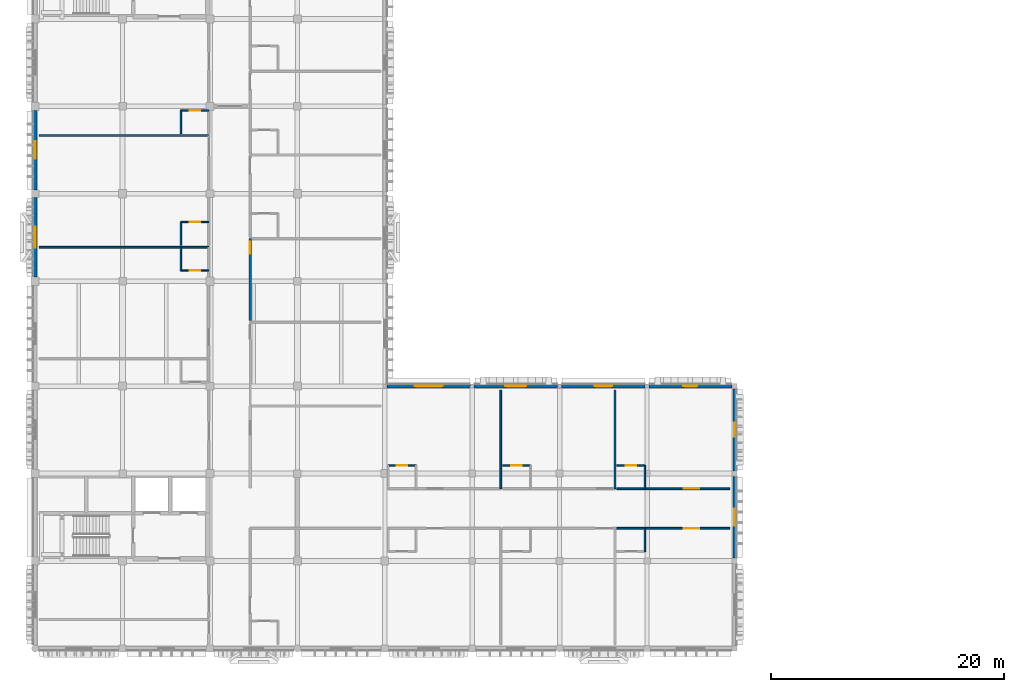
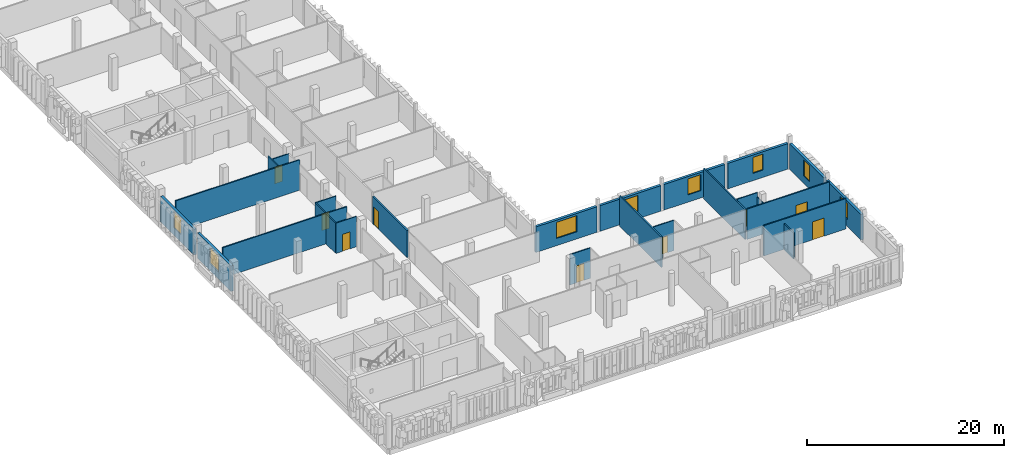
# One storey, part 17 of 48: 26 walls, 9 doors, 8 windows, 17 openings.
"""IFC4 building model written with IfcOpenShell, lengths in metres."""

from ifc_helpers import new_model, si_unit, direction, frame, frame_2d, origin, place, context, subcontext, project, spatial, rectangle, extrude, material, layer, layer_set, type_object, element, fill, save


model = new_model("IFC4")

# Units and contexts
model_context = context("Model", 3, precision=1e-05, world=origin(), true_north=direction((0.0, 1.0)))
body_context = subcontext(model_context, "Body", "Model", "MODEL_VIEW")
ifc_project = project(units=[si_unit("LENGTHUNIT", "METRE"), si_unit("AREAUNIT", "SQUARE_METRE"), si_unit("VOLUMEUNIT", "CUBIC_METRE"), si_unit("PLANEANGLEUNIT", "RADIAN"), si_unit("MASSUNIT", "GRAM", prefix="KILO")], contexts=[model_context])

# Site, building, storey
site_placement = place(None, origin())
site = spatial("IfcSite", under=ifc_project, at=site_placement, CompositionType="ELEMENT")
building_placement = place(site_placement, origin())
building = spatial("IfcBuilding", under=site, at=building_placement, Name="Dalvernix Boulevard General Hospital", CompositionType="ELEMENT")
storey_placement = place(building_placement, frame((0.0, 0.0, 17.85009765625)))
storey = spatial("IfcBuildingStorey", under=building, at=storey_placement, Name="L04", CompositionType="ELEMENT", Elevation=17.85009765625)

# Wall, opening, window
ifc_material_1 = material(Name="Pressed Catalan clay brick and ceramic spandrel wall C35/45", Category="masonry")
ifc_layer_1 = layer(ifc_material_1, 0.300048828125)
ifc_layer_set_1 = layer_set([ifc_layer_1], Name="Pressed Catalan clay brick and ceramic spandrel wall C35/45 (WAL-EW-02)")
wall_type_1 = type_object("IfcWallType", Name="WAL-EW-02", PredefinedType="STANDARD", material=ifc_layer_set_1)
wall_1_placement = place(storey_placement, frame((0.0, 31.860107421875, 0.0), z_axis=(0.0, 0.0, 1.0), x_axis=(0.0, 1.0, 0.0)))
wall_1 = element("IfcWall", 1, at=wall_1_placement, inside=storey, type_object=wall_type_1, Name="L04 Catalan brick external wall W 0-4", PredefinedType="STANDARD", context=body_context, shape_type="SweptSolid", body=[
    extrude(rectangle(XDim=6.804931640625, YDim=0.300048828125, at=frame_2d((3.40234375, 0.0))), origin(), (0.0, 0.0, 1.0), 3.169921875),
])
opening_1_placement = place(wall_1_placement, frame((2.50244140625, 0.0, 0.89990234375)))
opening_1 = element("IfcOpeningElement", 2, at=opening_1_placement, cuts=wall_1, Name="Opening WN-01", PredefinedType="OPENING", context=body_context, shape_type="SweptSolid", body=[
    extrude(rectangle(XDim=1.800048828125, YDim=1.989990234375, at=frame_2d((0.89990234375, 0.9951171875))), frame((0.0, 0.159912109375, 0.0), z_axis=(0.0, -1.0, 0.0), x_axis=(1.0, 0.0, 0.0)), (0.0, 0.0, 1.0), 0.320068359375),
])
ifc_material_2 = material(Name="Thermally broken aluminium frame with solar-control double glazing", Category="aluminium")
window_type_1 = type_object("IfcWindowType", Name="WIN-WN-01", PartitioningType="SINGLE_PANEL", PredefinedType="WINDOW", material=ifc_material_2)
window_1_placement = place(opening_1_placement, origin())
window_1 = element("IfcWindow", 3, at=window_1_placement, inside=storey, type_object=window_type_1, Name="L04 clinical window WN-01 W 0-4", OverallHeight=1.989990234375, OverallWidth=1.800048828125, PartitioningType="SINGLE_PANEL", PredefinedType="WINDOW", context=body_context, shape_type="SweptSolid", body=[
    extrude(rectangle(XDim=1.800048828125, YDim=1.989990234375, at=frame_2d((0.89990234375, 0.9951171875))), frame((0.0, 0.030029296875, 0.0), z_axis=(0.0, -1.0, 0.0), x_axis=(1.0, 0.0, 0.0)), (0.0, 0.0, 1.0), 0.06005859375),
])
fill(opening_1, window_1)

wall_2_placement = place(storey_placement, frame((0.0, 39.3349609375, 0.0), z_axis=(0.0, 0.0, 1.0), x_axis=(0.0, 1.0, 0.0)))
wall_2 = element("IfcWall", 4, at=wall_2_placement, inside=storey, type_object=wall_type_1, Name="L04 Catalan brick external wall W 0-5", PredefinedType="STANDARD", context=body_context, shape_type="SweptSolid", body=[
    extrude(rectangle(XDim=6.804931640625, YDim=0.300048828125, at=frame_2d((3.40234375, 0.0))), origin(), (0.0, 0.0, 1.0), 3.169921875),
])
opening_2_placement = place(wall_2_placement, frame((2.652587890625, 0.0, 0.89990234375)))
opening_2 = element("IfcOpeningElement", 5, at=opening_2_placement, cuts=wall_2, Name="Opening WN-02", PredefinedType="OPENING", context=body_context, shape_type="SweptSolid", body=[
    extrude(rectangle(XDim=1.5, YDim=1.989990234375, at=frame_2d((0.75, 0.9951171875))), frame((0.0, 0.159912109375, 0.0), z_axis=(0.0, -1.0, 0.0), x_axis=(1.0, 0.0, 0.0)), (0.0, 0.0, 1.0), 0.320068359375),
])
window_type_2 = type_object("IfcWindowType", Name="WIN-WN-02", PartitioningType="SINGLE_PANEL", PredefinedType="WINDOW", material=ifc_material_2)
window_2_placement = place(opening_2_placement, origin())
window_2 = element("IfcWindow", 6, at=window_2_placement, inside=storey, type_object=window_type_2, Name="L04 clinical window WN-02 W 0-5", OverallHeight=1.989990234375, OverallWidth=1.5, PartitioningType="SINGLE_PANEL", PredefinedType="WINDOW", context=body_context, shape_type="SweptSolid", body=[
    extrude(rectangle(XDim=1.5, YDim=1.989990234375, at=frame_2d((0.75, 0.9951171875))), frame((0.0, 0.030029296875, 0.0), z_axis=(0.0, -1.0, 0.0), x_axis=(1.0, 0.0, 0.0)), (0.0, 0.0, 1.0), 0.06005859375),
])
fill(opening_2, window_2)

wall_3_placement = place(storey_placement, frame((30.169921875, 22.5, 0.0), z_axis=(0.0, 0.0, 1.0), x_axis=(1.0, 0.0, 0.0)))
wall_3 = element("IfcWall", 7, at=wall_3_placement, inside=storey, type_object=wall_type_1, Name="L04 Catalan brick external wall N 4-3", PredefinedType="STANDARD", context=body_context, shape_type="SweptSolid", body=[
    extrude(rectangle(XDim=7.16015625, YDim=0.300048828125, at=frame_2d((3.580078125, 0.0))), origin(), (0.0, 0.0, 1.0), 3.169921875),
])
opening_3_placement = place(wall_3_placement, frame((2.3798828125, 0.0, 0.89990234375)))
opening_3 = element("IfcOpeningElement", 8, at=opening_3_placement, cuts=wall_3, Name="Opening WN-04", PredefinedType="OPENING", context=body_context, shape_type="SweptSolid", body=[
    extrude(rectangle(XDim=2.39990234375, YDim=1.989990234375, at=frame_2d((1.199951171875, 0.9951171875))), frame((0.0, 0.159912109375, 0.0), z_axis=(0.0, -1.0, 0.0), x_axis=(1.0, 0.0, 0.0)), (0.0, 0.0, 1.0), 0.320068359375),
])
window_type_3 = type_object("IfcWindowType", Name="WIN-WN-04", PartitioningType="SINGLE_PANEL", PredefinedType="WINDOW", material=ifc_material_2)
window_3_placement = place(opening_3_placement, origin())
window_3 = element("IfcWindow", 9, at=window_3_placement, inside=storey, type_object=window_type_3, Name="L04 clinical window WN-04 N 4-3", OverallHeight=1.989990234375, OverallWidth=2.39990234375, PartitioningType="SINGLE_PANEL", PredefinedType="WINDOW", context=body_context, shape_type="SweptSolid", body=[
    extrude(rectangle(XDim=2.39990234375, YDim=1.989990234375, at=frame_2d((1.199951171875, 0.9951171875))), frame((0.0, 0.030029296875, 0.0), z_axis=(0.0, -1.0, 0.0), x_axis=(1.0, 0.0, 0.0)), (0.0, 0.0, 1.0), 0.06005859375),
])
fill(opening_3, window_3)

wall_4_placement = place(storey_placement, frame((37.669921875, 22.5, 0.0), z_axis=(0.0, 0.0, 1.0), x_axis=(1.0, 0.0, 0.0)))
wall_4 = element("IfcWall", 10, at=wall_4_placement, inside=storey, type_object=wall_type_1, Name="L04 Catalan brick external wall N 5-3", PredefinedType="STANDARD", context=body_context, shape_type="SweptSolid", body=[
    extrude(rectangle(XDim=7.16015625, YDim=0.300048828125, at=frame_2d((3.580078125, 0.0))), origin(), (0.0, 0.0, 1.0), 3.169921875),
])
opening_4_placement = place(wall_4_placement, frame((2.679931640625, 0.0, 0.89990234375)))
opening_4 = element("IfcOpeningElement", 11, at=opening_4_placement, cuts=wall_4, Name="Opening WN-05", PredefinedType="OPENING", context=body_context, shape_type="SweptSolid", body=[
    extrude(rectangle(XDim=1.800048828125, YDim=1.989990234375, at=frame_2d((0.89990234375, 0.9951171875))), frame((0.0, 0.159912109375, 0.0), z_axis=(0.0, -1.0, 0.0), x_axis=(1.0, 0.0, 0.0)), (0.0, 0.0, 1.0), 0.320068359375),
])
window_type_4 = type_object("IfcWindowType", Name="WIN-WN-05", PartitioningType="SINGLE_PANEL", PredefinedType="WINDOW", material=ifc_material_2)
window_4_placement = place(opening_4_placement, origin())
window_4 = element("IfcWindow", 12, at=window_4_placement, inside=storey, type_object=window_type_4, Name="L04 clinical window WN-05 N 5-3", OverallHeight=1.989990234375, OverallWidth=1.800048828125, PartitioningType="SINGLE_PANEL", PredefinedType="WINDOW", context=body_context, shape_type="SweptSolid", body=[
    extrude(rectangle(XDim=1.800048828125, YDim=1.989990234375, at=frame_2d((0.89990234375, 0.9951171875))), frame((0.0, 0.030029296875, 0.0), z_axis=(0.0, -1.0, 0.0), x_axis=(1.0, 0.0, 0.0)), (0.0, 0.0, 1.0), 0.06005859375),
])
fill(opening_4, window_4)

wall_5_placement = place(storey_placement, frame((45.169921875, 22.5, 0.0), z_axis=(0.0, 0.0, 1.0), x_axis=(1.0, 0.0, 0.0)))
wall_5 = element("IfcWall", 13, at=wall_5_placement, inside=storey, type_object=wall_type_1, Name="L04 Catalan brick external wall N 6-3", PredefinedType="STANDARD", context=body_context, shape_type="SweptSolid", body=[
    extrude(rectangle(XDim=7.16015625, YDim=0.300048828125, at=frame_2d((3.580078125, 0.0))), origin(), (0.0, 0.0, 1.0), 3.169921875),
])
opening_5_placement = place(wall_5_placement, frame((2.830078125, 0.0, 0.89990234375)))
opening_5 = element("IfcOpeningElement", 14, at=opening_5_placement, cuts=wall_5, Name="Opening WN-06", PredefinedType="OPENING", context=body_context, shape_type="SweptSolid", body=[
    extrude(rectangle(XDim=1.5, YDim=1.989990234375, at=frame_2d((0.75, 0.9951171875))), frame((0.0, 0.159912109375, 0.0), z_axis=(0.0, -1.0, 0.0), x_axis=(1.0, 0.0, 0.0)), (0.0, 0.0, 1.0), 0.320068359375),
])
window_type_5 = type_object("IfcWindowType", Name="WIN-WN-06", PartitioningType="SINGLE_PANEL", PredefinedType="WINDOW", material=ifc_material_2)
window_5_placement = place(opening_5_placement, origin())
window_5 = element("IfcWindow", 15, at=window_5_placement, inside=storey, type_object=window_type_5, Name="L04 clinical window WN-06 N 6-3", OverallHeight=1.989990234375, OverallWidth=1.5, PartitioningType="SINGLE_PANEL", PredefinedType="WINDOW", context=body_context, shape_type="SweptSolid", body=[
    extrude(rectangle(XDim=1.5, YDim=1.989990234375, at=frame_2d((0.75, 0.9951171875))), frame((0.0, 0.030029296875, 0.0), z_axis=(0.0, -1.0, 0.0), x_axis=(1.0, 0.0, 0.0)), (0.0, 0.0, 1.0), 0.06005859375),
])
fill(opening_5, window_5)

wall_6_placement = place(storey_placement, frame((60.0, 14.764892578125, 0.0), z_axis=(0.0, 0.0, 1.0), x_axis=(0.0, -1.0, 0.0)))
wall_6 = element("IfcWall", 16, at=wall_6_placement, inside=storey, type_object=wall_type_1, Name="L04 Catalan brick external wall E 8-1", PredefinedType="STANDARD", context=body_context, shape_type="SweptSolid", body=[
    extrude(rectangle(XDim=7.02978515625, YDim=0.300048828125, at=frame_2d((3.514892578125, 0.0))), origin(), (0.0, 0.0, 1.0), 3.169921875),
])
opening_6_placement = place(wall_6_placement, frame((2.764892578125, 0.0, 0.89990234375)))
opening_6 = element("IfcOpeningElement", 17, at=opening_6_placement, cuts=wall_6, Name="Opening WN-06", PredefinedType="OPENING", context=body_context, shape_type="SweptSolid", body=[
    extrude(rectangle(XDim=1.5, YDim=1.989990234375, at=frame_2d((0.75, 0.9951171875))), frame((0.0, 0.159912109375, 0.0), z_axis=(0.0, -1.0, 0.0), x_axis=(1.0, 0.0, 0.0)), (0.0, 0.0, 1.0), 0.320068359375),
])
window_6_placement = place(opening_6_placement, origin())
window_6 = element("IfcWindow", 18, at=window_6_placement, inside=storey, type_object=window_type_5, Name="L04 clinical window WN-06 E 8-1", OverallHeight=1.989990234375, OverallWidth=1.5, PartitioningType="SINGLE_PANEL", PredefinedType="WINDOW", context=body_context, shape_type="SweptSolid", body=[
    extrude(rectangle(XDim=1.5, YDim=1.989990234375, at=frame_2d((0.75, 0.9951171875))), frame((0.0, 0.030029296875, 0.0), z_axis=(0.0, -1.0, 0.0), x_axis=(1.0, 0.0, 0.0)), (0.0, 0.0, 1.0), 0.06005859375),
])
fill(opening_6, window_6)

wall_7_placement = place(storey_placement, frame((52.669921875, 22.5, 0.0), z_axis=(0.0, 0.0, 1.0), x_axis=(1.0, 0.0, 0.0)))
wall_7 = element("IfcWall", 19, at=wall_7_placement, inside=storey, type_object=wall_type_1, Name="L04 Catalan brick external wall N 7-3", PredefinedType="STANDARD", context=body_context, shape_type="SweptSolid", body=[
    extrude(rectangle(XDim=7.094970703125, YDim=0.300048828125, at=frame_2d((3.54736328125, 0.0))), origin(), (0.0, 0.0, 1.0), 3.169921875),
])
opening_7_placement = place(wall_7_placement, frame((2.947509765625, 0.0, 0.89990234375)))
opening_7 = element("IfcOpeningElement", 20, at=opening_7_placement, cuts=wall_7, Name="Opening WN-07", PredefinedType="OPENING", context=body_context, shape_type="SweptSolid", body=[
    extrude(rectangle(XDim=1.199951171875, YDim=1.989990234375, at=frame_2d((0.60009765625, 0.9951171875))), frame((0.0, 0.159912109375, 0.0), z_axis=(0.0, -1.0, 0.0), x_axis=(1.0, 0.0, 0.0)), (0.0, 0.0, 1.0), 0.320068359375),
])
window_type_6 = type_object("IfcWindowType", Name="WIN-WN-07", PartitioningType="SINGLE_PANEL", PredefinedType="WINDOW", material=ifc_material_2)
window_7_placement = place(opening_7_placement, origin())
window_7 = element("IfcWindow", 21, at=window_7_placement, inside=storey, type_object=window_type_6, Name="L04 clinical window WN-07 N 7-3", OverallHeight=1.989990234375, OverallWidth=1.199951171875, PartitioningType="SINGLE_PANEL", PredefinedType="WINDOW", context=body_context, shape_type="SweptSolid", body=[
    extrude(rectangle(XDim=1.199951171875, YDim=1.989990234375, at=frame_2d((0.60009765625, 0.9951171875))), frame((0.0, 0.030029296875, 0.0), z_axis=(0.0, -1.0, 0.0), x_axis=(1.0, 0.0, 0.0)), (0.0, 0.0, 1.0), 0.06005859375),
])
fill(opening_7, window_7)

wall_8_placement = place(storey_placement, frame((60.0, 22.264892578125, 0.0), z_axis=(0.0, 0.0, 1.0), x_axis=(0.0, -1.0, 0.0)))
wall_8 = element("IfcWall", 22, at=wall_8_placement, inside=storey, type_object=wall_type_1, Name="L04 Catalan brick external wall E 8-2", PredefinedType="STANDARD", context=body_context, shape_type="SweptSolid", body=[
    extrude(rectangle(XDim=7.02978515625, YDim=0.300048828125, at=frame_2d((3.514892578125, 0.0))), origin(), (0.0, 0.0, 1.0), 3.169921875),
])
opening_8_placement = place(wall_8_placement, frame((2.9150390625, 0.0, 0.89990234375)))
opening_8 = element("IfcOpeningElement", 23, at=opening_8_placement, cuts=wall_8, Name="Opening WN-07", PredefinedType="OPENING", context=body_context, shape_type="SweptSolid", body=[
    extrude(rectangle(XDim=1.199951171875, YDim=1.989990234375, at=frame_2d((0.60009765625, 0.9951171875))), frame((0.0, 0.159912109375, 0.0), z_axis=(0.0, -1.0, 0.0), x_axis=(1.0, 0.0, 0.0)), (0.0, 0.0, 1.0), 0.320068359375),
])
window_8_placement = place(opening_8_placement, origin())
window_8 = element("IfcWindow", 24, at=window_8_placement, inside=storey, type_object=window_type_6, Name="L04 clinical window WN-07 E 8-2", OverallHeight=1.989990234375, OverallWidth=1.199951171875, PartitioningType="SINGLE_PANEL", PredefinedType="WINDOW", context=body_context, shape_type="SweptSolid", body=[
    extrude(rectangle(XDim=1.199951171875, YDim=1.989990234375, at=frame_2d((0.60009765625, 0.9951171875))), frame((0.0, 0.030029296875, 0.0), z_axis=(0.0, -1.0, 0.0), x_axis=(1.0, 0.0, 0.0)), (0.0, 0.0, 1.0), 0.06005859375),
])
fill(opening_8, window_8)

# Wall, opening, door
ifc_material_3 = material(Name="Fire-compartment corridor masonry wall", Category="masonry")
ifc_layer_2 = layer(ifc_material_3, 0.199951171875)
ifc_layer_set_2 = layer_set([ifc_layer_2], Name="Fire-compartment corridor masonry wall (WAL-IW-02)")
wall_type_2 = type_object("IfcWallType", Name="WAL-IW-02", PredefinedType="STANDARD", material=ifc_layer_set_2)
wall_9_placement = place(storey_placement, frame((18.449951171875, 35.15185546875, 0.0), z_axis=(0.0, 0.0, 1.0), x_axis=(0.0, -1.0, 0.0)))
wall_9 = element("IfcWall", 25, at=wall_9_placement, inside=storey, type_object=wall_type_2, Name="L04 Patient and Family Day Lounge L04 corridor wall", PredefinedType="STANDARD", context=body_context, shape_type="SweptSolid", body=[
    extrude(rectangle(XDim=7.017333984375, YDim=0.199951171875, at=frame_2d((3.5087890625, 0.0))), origin(), (0.0, 0.0, 1.0), 3.35498046875),
])
opening_9_placement = place(wall_9_placement, frame((0.25, 0.0, 0.0)))
opening_9 = element("IfcOpeningElement", 26, at=opening_9_placement, cuts=wall_9, Name="Opening ID-07", PredefinedType="OPENING", context=body_context, shape_type="SweptSolid", body=[
    extrude(rectangle(XDim=1.050048828125, YDim=2.199951171875, at=frame_2d((0.52490234375, 1.10009765625))), frame((0.0, 0.10986328125, 0.0), z_axis=(0.0, -1.0, 0.0), x_axis=(1.0, 0.0, 0.0)), (0.0, 0.0, 1.0), 0.219970703125),
])
ifc_material_4 = material(Name="Hospital laminate acoustic timber and steel frame", Category="steel")
door_type_1 = type_object("IfcDoorType", Name="DR-ID-07", OperationType="NOTDEFINED", PredefinedType="DOOR", material=ifc_material_4)
door_1_placement = place(opening_9_placement, origin())
door_1 = element("IfcDoor", 27, at=door_1_placement, inside=storey, type_object=door_type_1, Name="L04 Patient and Family Day Lounge L04 door", OperationType="SINGLE_SWING_LEFT", OverallHeight=2.199951171875, OverallWidth=1.050048828125, PredefinedType="DOOR", context=body_context, shape_type="SweptSolid", body=[
    extrude(rectangle(XDim=1.050048828125, YDim=2.199951171875, at=frame_2d((0.52490234375, 1.10009765625))), frame((0.0, 0.02490234375, 0.0), z_axis=(0.0, -1.0, 0.0), x_axis=(1.0, 0.0, 0.0)), (0.0, 0.0, 1.0), 0.050048828125),
])
fill(opening_9, door_1)

ifc_material_5 = material(Name="Acoustic double-stud gypsum inpatient partition")
ifc_layer_3 = layer(ifc_material_5, 0.14990234375)
ifc_layer_set_3 = layer_set([ifc_layer_3], Name="Acoustic double-stud gypsum inpatient partition (WAL-IW-04)")
wall_type_3 = type_object("IfcWallType", Name="WAL-IW-04", PredefinedType="PARTITIONING", material=ifc_layer_set_3)
wall_10_placement = place(storey_placement, frame((59.570068359375, 10.300048828125, 0.0), z_axis=(0.0, 0.0, 1.0), x_axis=(-1.0, 0.0, 0.0)))
wall_10 = element("IfcWall", 28, at=wall_10_placement, inside=storey, type_object=wall_type_3, Name="L04 Inpatient Ward Suite L04-S3 corridor wall", PredefinedType="PARTITIONING", context=body_context, shape_type="SweptSolid", body=[
    extrude(rectangle(XDim=9.65673828125, YDim=0.14990234375, at=frame_2d((4.828369140625, 0.0))), origin(), (0.0, 0.0, 1.0), 3.7548828125),
])
opening_10_placement = place(wall_10_placement, frame((2.592041015625, 0.0, 0.0)))
opening_10 = element("IfcOpeningElement", 29, at=opening_10_placement, cuts=wall_10, Name="Opening ID-01", PredefinedType="OPENING", context=body_context, shape_type="SweptSolid", body=[
    extrude(rectangle(XDim=1.35009765625, YDim=2.25, at=frame_2d((0.675048828125, 1.125))), frame((0.0, 0.0849609375, 0.0), z_axis=(0.0, -1.0, 0.0), x_axis=(1.0, 0.0, 0.0)), (0.0, 0.0, 1.0), 0.169921875),
])
door_type_2 = type_object("IfcDoorType", Name="DR-ID-01", OperationType="NOTDEFINED", PredefinedType="DOOR", material=ifc_material_4)
door_2_placement = place(opening_10_placement, origin())
door_2 = element("IfcDoor", 30, at=door_2_placement, inside=storey, type_object=door_type_2, Name="L04 Inpatient Ward Suite L04-S3 door", OperationType="SINGLE_SWING_LEFT", OverallHeight=2.25, OverallWidth=1.35009765625, PredefinedType="DOOR", context=body_context, shape_type="SweptSolid", body=[
    extrude(rectangle(XDim=1.35009765625, YDim=2.25, at=frame_2d((0.675048828125, 1.125))), frame((0.0, 0.02490234375, 0.0), z_axis=(0.0, -1.0, 0.0), x_axis=(1.0, 0.0, 0.0)), (0.0, 0.0, 1.0), 0.050048828125),
])
fill(opening_10, door_2)

wall_11_placement = place(storey_placement, frame((49.913330078125, 13.699951171875, 0.0), z_axis=(0.0, 0.0, 1.0), x_axis=(1.0, 0.0, 0.0)))
wall_11 = element("IfcWall", 31, at=wall_11_placement, inside=storey, type_object=wall_type_3, Name="L04 Isolation Patient Room L04-N3 corridor wall", PredefinedType="PARTITIONING", context=body_context, shape_type="SweptSolid", body=[
    extrude(rectangle(XDim=9.65673828125, YDim=0.14990234375, at=frame_2d((4.828369140625, 0.0))), origin(), (0.0, 0.0, 1.0), 3.7548828125),
])
opening_11_placement = place(wall_11_placement, frame((5.749755859375, 0.0, 0.0)))
opening_11 = element("IfcOpeningElement", 32, at=opening_11_placement, cuts=wall_11, Name="Opening ID-03", PredefinedType="OPENING", context=body_context, shape_type="SweptSolid", body=[
    extrude(rectangle(XDim=1.300048828125, YDim=2.199951171875, at=frame_2d((0.64990234375, 1.10009765625))), frame((0.0, 0.0849609375, 0.0), z_axis=(0.0, -1.0, 0.0), x_axis=(1.0, 0.0, 0.0)), (0.0, 0.0, 1.0), 0.169921875),
])
door_type_3 = type_object("IfcDoorType", Name="DR-ID-03", OperationType="NOTDEFINED", PredefinedType="DOOR", material=ifc_material_4)
door_3_placement = place(opening_11_placement, origin())
door_3 = element("IfcDoor", 33, at=door_3_placement, inside=storey, type_object=door_type_3, Name="L04 Isolation Patient Room L04-N3 door", OperationType="SINGLE_SWING_LEFT", OverallHeight=2.199951171875, OverallWidth=1.300048828125, PredefinedType="DOOR", context=body_context, shape_type="SweptSolid", body=[
    extrude(rectangle(XDim=1.300048828125, YDim=2.199951171875, at=frame_2d((0.64990234375, 1.10009765625))), frame((0.0, 0.02490234375, 0.0), z_axis=(0.0, -1.0, 0.0), x_axis=(1.0, 0.0, 0.0)), (0.0, 0.0, 1.0), 0.050048828125),
])
fill(opening_11, door_3)

# Walls
for number, where, z_axis, x_axis, name in (
    (34, (0.35009765625, 34.419921875, 0.0), (0.0, 0.0, 1.0), (1.0, 0.0, 0.0), "L04 General Medical Single Patient Room L04-W03 partition"),
    (35, (0.35009765625, 43.9951171875, 0.0), (0.0, 0.0, 1.0), (1.0, 0.0, 0.0), "L04 Four Bed Medical Inpatient Ward L04-W04 partition"),
):
    element("IfcWall", number, at=place(storey_placement, frame(where, z_axis=z_axis, x_axis=x_axis)), inside=storey, type_object=wall_type_3, Name=name, PredefinedType="PARTITIONING", context=body_context, shape_type="SweptSolid", body=[
        extrude(rectangle(XDim=14.5498046875, YDim=0.14990234375, at=frame_2d((7.27490234375, 0.0))), origin(), (0.0, 0.0, 1.0), 3.7548828125),
    ])
for number, where, z_axis, x_axis, name in (
    (36, (39.936767578125, 13.699951171875, 0.0), (0.0, 0.0, 1.0), (0.0, 1.0, 0.0), "L04 Isolation Patient Room L04-N1 partition"),
    (37, (49.75341796875, 13.699951171875, 0.0), (0.0, 0.0, 1.0), (0.0, 1.0, 0.0), "L04 Isolation Patient Room L04-N2 partition"),
):
    element("IfcWall", number, at=place(storey_placement, frame(where, z_axis=z_axis, x_axis=x_axis)), inside=storey, type_object=wall_type_3, Name=name, PredefinedType="PARTITIONING", context=body_context, shape_type="SweptSolid", body=[
        extrude(rectangle(XDim=8.449951171875, YDim=0.14990234375, at=frame_2d((4.22509765625, 0.0))), origin(), (0.0, 0.0, 1.0), 3.7548828125),
    ])

# Wall, opening, door
ifc_material_6 = material(Name="Moisture-resistant en-suite bathroom partition")
ifc_layer_4 = layer(ifc_material_6, 0.1201171875)
ifc_layer_set_4 = layer_set([ifc_layer_4], Name="Moisture-resistant en-suite bathroom partition (WAL-IW-05)")
wall_type_4 = type_object("IfcWallType", Name="WAL-IW-05", PredefinedType="PARTITIONING", material=ifc_layer_set_4)
wall_12_placement = place(storey_placement, frame((12.5, 32.419921875, 0.0), z_axis=(0.0, 0.0, 1.0), x_axis=(1.0, 0.0, 0.0)))
wall_12 = element("IfcWall", 38, at=wall_12_placement, inside=storey, type_object=wall_type_4, Name="L04 en-suite bathroom door wall", PredefinedType="PARTITIONING", context=body_context, shape_type="SweptSolid", body=[
    extrude(rectangle(XDim=2.39990234375, YDim=0.1201171875, at=frame_2d((1.199951171875, 0.0))), origin(), (0.0, 0.0, 1.0), 3.7548828125),
])
opening_12_placement = place(wall_12_placement, frame((0.75, 0.0, 0.0)))
opening_12 = element("IfcOpeningElement", 39, at=opening_12_placement, cuts=wall_12, Name="Opening ID-05", PredefinedType="OPENING", context=body_context, shape_type="SweptSolid", body=[
    extrude(rectangle(XDim=0.89990234375, YDim=2.10009765625, at=frame_2d((0.449951171875, 1.050048828125))), frame((0.0, 0.070068359375, 0.0), z_axis=(0.0, -1.0, 0.0), x_axis=(1.0, 0.0, 0.0)), (0.0, 0.0, 1.0), 0.14013671875),
])
door_type_4 = type_object("IfcDoorType", Name="DR-ID-05", OperationType="NOTDEFINED", PredefinedType="DOOR", material=ifc_material_4)
door_4_placement = place(opening_12_placement, origin())
door_4 = element("IfcDoor", 40, at=door_4_placement, inside=storey, type_object=door_type_4, Name="L04 L04-WRD-W03 en-suite bathroom door", OperationType="SINGLE_SWING_RIGHT", OverallHeight=2.10009765625, OverallWidth=0.89990234375, PredefinedType="DOOR", context=body_context, shape_type="SweptSolid", body=[
    extrude(rectangle(XDim=0.89990234375, YDim=2.10009765625, at=frame_2d((0.449951171875, 1.050048828125))), frame((0.0, 0.02490234375, 0.0), z_axis=(0.0, -1.0, 0.0), x_axis=(1.0, 0.0, 0.0)), (0.0, 0.0, 1.0), 0.050048828125),
])
fill(opening_12, door_4)

# Wall
wall_13_placement = place(storey_placement, frame((12.5, 32.419921875, 0.0), z_axis=(0.0, 0.0, 1.0), x_axis=(0.0, 1.0, 0.0)))
element("IfcWall", 41, at=wall_13_placement, inside=storey, type_object=wall_type_4, Name="L04 en-suite bathroom side wall", PredefinedType="PARTITIONING", context=body_context, shape_type="SweptSolid", body=[
    extrude(rectangle(XDim=2.0, YDim=0.1201171875, at=frame_2d((1.0, 0.0))), origin(), (0.0, 0.0, 1.0), 3.7548828125),
])

# Wall, opening, door
wall_14_placement = place(storey_placement, frame((14.89990234375, 36.580078125, 0.0), z_axis=(0.0, 0.0, 1.0), x_axis=(-1.0, 0.0, 0.0)))
wall_14 = element("IfcWall", 42, at=wall_14_placement, inside=storey, type_object=wall_type_4, Name="L04 en-suite bathroom door wall", PredefinedType="PARTITIONING", context=body_context, shape_type="SweptSolid", body=[
    extrude(rectangle(XDim=2.39990234375, YDim=0.1201171875, at=frame_2d((1.199951171875, 0.0))), origin(), (0.0, 0.0, 1.0), 3.7548828125),
])
opening_13_placement = place(wall_14_placement, frame((0.75, 0.0, 0.0)))
opening_13 = element("IfcOpeningElement", 43, at=opening_13_placement, cuts=wall_14, Name="Opening ID-05", PredefinedType="OPENING", context=body_context, shape_type="SweptSolid", body=[
    extrude(rectangle(XDim=0.89990234375, YDim=2.10009765625, at=frame_2d((0.449951171875, 1.050048828125))), frame((0.0, 0.070068359375, 0.0), z_axis=(0.0, -1.0, 0.0), x_axis=(1.0, 0.0, 0.0)), (0.0, 0.0, 1.0), 0.14013671875),
])
door_5_placement = place(opening_13_placement, origin())
door_5 = element("IfcDoor", 44, at=door_5_placement, inside=storey, type_object=door_type_4, Name="L04 L04-WRD-W04 en-suite bathroom door", OperationType="SINGLE_SWING_RIGHT", OverallHeight=2.10009765625, OverallWidth=0.89990234375, PredefinedType="DOOR", context=body_context, shape_type="SweptSolid", body=[
    extrude(rectangle(XDim=0.89990234375, YDim=2.10009765625, at=frame_2d((0.449951171875, 1.050048828125))), frame((0.0, 0.02490234375, 0.0), z_axis=(0.0, -1.0, 0.0), x_axis=(1.0, 0.0, 0.0)), (0.0, 0.0, 1.0), 0.050048828125),
])
fill(opening_13, door_5)

# Wall
wall_15_placement = place(storey_placement, frame((12.5, 34.580078125, 0.0), z_axis=(0.0, 0.0, 1.0), x_axis=(0.0, 1.0, 0.0)))
element("IfcWall", 45, at=wall_15_placement, inside=storey, type_object=wall_type_4, Name="L04 en-suite bathroom side wall", PredefinedType="PARTITIONING", context=body_context, shape_type="SweptSolid", body=[
    extrude(rectangle(XDim=2.0, YDim=0.1201171875, at=frame_2d((1.0, 0.0))), origin(), (0.0, 0.0, 1.0), 3.7548828125),
])

# Wall, opening, door
wall_16_placement = place(storey_placement, frame((14.89990234375, 46.155029296875, 0.0), z_axis=(0.0, 0.0, 1.0), x_axis=(-1.0, 0.0, 0.0)))
wall_16 = element("IfcWall", 46, at=wall_16_placement, inside=storey, type_object=wall_type_4, Name="L04 en-suite bathroom door wall", PredefinedType="PARTITIONING", context=body_context, shape_type="SweptSolid", body=[
    extrude(rectangle(XDim=2.39990234375, YDim=0.1201171875, at=frame_2d((1.199951171875, 0.0))), origin(), (0.0, 0.0, 1.0), 3.204833984375),
])
opening_14_placement = place(wall_16_placement, frame((0.75, 0.0, 0.0)))
opening_14 = element("IfcOpeningElement", 47, at=opening_14_placement, cuts=wall_16, Name="Opening ID-05", PredefinedType="OPENING", context=body_context, shape_type="SweptSolid", body=[
    extrude(rectangle(XDim=0.89990234375, YDim=2.10009765625, at=frame_2d((0.449951171875, 1.050048828125))), frame((0.0, 0.070068359375, 0.0), z_axis=(0.0, -1.0, 0.0), x_axis=(1.0, 0.0, 0.0)), (0.0, 0.0, 1.0), 0.14013671875),
])
door_6_placement = place(opening_14_placement, origin())
door_6 = element("IfcDoor", 48, at=door_6_placement, inside=storey, type_object=door_type_4, Name="L04 L04-WRD-W05 en-suite bathroom door", OperationType="SINGLE_SWING_RIGHT", OverallHeight=2.10009765625, OverallWidth=0.89990234375, PredefinedType="DOOR", context=body_context, shape_type="SweptSolid", body=[
    extrude(rectangle(XDim=0.89990234375, YDim=2.10009765625, at=frame_2d((0.449951171875, 1.050048828125))), frame((0.0, 0.02490234375, 0.0), z_axis=(0.0, -1.0, 0.0), x_axis=(1.0, 0.0, 0.0)), (0.0, 0.0, 1.0), 0.050048828125),
])
fill(opening_14, door_6)

# Wall
wall_17_placement = place(storey_placement, frame((12.5, 44.155029296875, 0.0), z_axis=(0.0, 0.0, 1.0), x_axis=(0.0, 1.0, 0.0)))
element("IfcWall", 49, at=wall_17_placement, inside=storey, type_object=wall_type_4, Name="L04 en-suite bathroom side wall", PredefinedType="PARTITIONING", context=body_context, shape_type="SweptSolid", body=[
    extrude(rectangle(XDim=2.0, YDim=0.1201171875, at=frame_2d((1.0, 0.0))), origin(), (0.0, 0.0, 1.0), 3.7548828125),
])

# Wall, opening, door
wall_18_placement = place(storey_placement, frame((32.679931640625, 15.699951171875, 0.0), z_axis=(0.0, 0.0, 1.0), x_axis=(-1.0, 0.0, 0.0)))
wall_18 = element("IfcWall", 50, at=wall_18_placement, inside=storey, type_object=wall_type_4, Name="L04 en-suite bathroom door wall", PredefinedType="PARTITIONING", context=body_context, shape_type="SweptSolid", body=[
    extrude(rectangle(XDim=2.39990234375, YDim=0.1201171875, at=frame_2d((1.199951171875, 0.0))), origin(), (0.0, 0.0, 1.0), 3.7548828125),
])
opening_15_placement = place(wall_18_placement, frame((0.75, 0.0, 0.0)))
opening_15 = element("IfcOpeningElement", 51, at=opening_15_placement, cuts=wall_18, Name="Opening ID-05", PredefinedType="OPENING", context=body_context, shape_type="SweptSolid", body=[
    extrude(rectangle(XDim=0.89990234375, YDim=2.10009765625, at=frame_2d((0.449951171875, 1.050048828125))), frame((0.0, 0.070068359375, 0.0), z_axis=(0.0, -1.0, 0.0), x_axis=(1.0, 0.0, 0.0)), (0.0, 0.0, 1.0), 0.14013671875),
])
door_7_placement = place(opening_15_placement, origin())
door_7 = element("IfcDoor", 52, at=door_7_placement, inside=storey, type_object=door_type_4, Name="L04 L04-SW-N1 en-suite bathroom door", OperationType="SINGLE_SWING_RIGHT", OverallHeight=2.10009765625, OverallWidth=0.89990234375, PredefinedType="DOOR", context=body_context, shape_type="SweptSolid", body=[
    extrude(rectangle(XDim=0.89990234375, YDim=2.10009765625, at=frame_2d((0.449951171875, 1.050048828125))), frame((0.0, 0.02490234375, 0.0), z_axis=(0.0, -1.0, 0.0), x_axis=(1.0, 0.0, 0.0)), (0.0, 0.0, 1.0), 0.050048828125),
])
fill(opening_15, door_7)

wall_19_placement = place(storey_placement, frame((42.49658203125, 15.699951171875, 0.0), z_axis=(0.0, 0.0, 1.0), x_axis=(-1.0, 0.0, 0.0)))
wall_19 = element("IfcWall", 53, at=wall_19_placement, inside=storey, type_object=wall_type_4, Name="L04 en-suite bathroom door wall", PredefinedType="PARTITIONING", context=body_context, shape_type="SweptSolid", body=[
    extrude(rectangle(XDim=2.39990234375, YDim=0.1201171875, at=frame_2d((1.199951171875, 0.0))), origin(), (0.0, 0.0, 1.0), 3.7548828125),
])
opening_16_placement = place(wall_19_placement, frame((0.75, 0.0, 0.0)))
opening_16 = element("IfcOpeningElement", 54, at=opening_16_placement, cuts=wall_19, Name="Opening ID-05", PredefinedType="OPENING", context=body_context, shape_type="SweptSolid", body=[
    extrude(rectangle(XDim=0.89990234375, YDim=2.10009765625, at=frame_2d((0.449951171875, 1.050048828125))), frame((0.0, 0.070068359375, 0.0), z_axis=(0.0, -1.0, 0.0), x_axis=(1.0, 0.0, 0.0)), (0.0, 0.0, 1.0), 0.14013671875),
])
door_8_placement = place(opening_16_placement, origin())
door_8 = element("IfcDoor", 55, at=door_8_placement, inside=storey, type_object=door_type_4, Name="L04 L04-SW-N2 en-suite bathroom door", OperationType="SINGLE_SWING_RIGHT", OverallHeight=2.10009765625, OverallWidth=0.89990234375, PredefinedType="DOOR", context=body_context, shape_type="SweptSolid", body=[
    extrude(rectangle(XDim=0.89990234375, YDim=2.10009765625, at=frame_2d((0.449951171875, 1.050048828125))), frame((0.0, 0.02490234375, 0.0), z_axis=(0.0, -1.0, 0.0), x_axis=(1.0, 0.0, 0.0)), (0.0, 0.0, 1.0), 0.050048828125),
])
fill(opening_16, door_8)

# Wall
wall_20_placement = place(storey_placement, frame((52.313232421875, 8.300048828125, 0.0), z_axis=(0.0, 0.0, 1.0), x_axis=(0.0, 1.0, 0.0)))
element("IfcWall", 56, at=wall_20_placement, inside=storey, type_object=wall_type_4, Name="L04 en-suite bathroom side wall", PredefinedType="PARTITIONING", context=body_context, shape_type="SweptSolid", body=[
    extrude(rectangle(XDim=2.0, YDim=0.1201171875, at=frame_2d((1.0, 0.0))), origin(), (0.0, 0.0, 1.0), 3.204833984375),
])

# Wall, opening, door
wall_21_placement = place(storey_placement, frame((52.313232421875, 15.699951171875, 0.0), z_axis=(0.0, 0.0, 1.0), x_axis=(-1.0, 0.0, 0.0)))
wall_21 = element("IfcWall", 57, at=wall_21_placement, inside=storey, type_object=wall_type_4, Name="L04 en-suite bathroom door wall", PredefinedType="PARTITIONING", context=body_context, shape_type="SweptSolid", body=[
    extrude(rectangle(XDim=2.39990234375, YDim=0.1201171875, at=frame_2d((1.199951171875, 0.0))), origin(), (0.0, 0.0, 1.0), 3.7548828125),
])
opening_17_placement = place(wall_21_placement, frame((0.75, 0.0, 0.0)))
opening_17 = element("IfcOpeningElement", 58, at=opening_17_placement, cuts=wall_21, Name="Opening ID-05", PredefinedType="OPENING", context=body_context, shape_type="SweptSolid", body=[
    extrude(rectangle(XDim=0.89990234375, YDim=2.10009765625, at=frame_2d((0.449951171875, 1.050048828125))), frame((0.0, 0.070068359375, 0.0), z_axis=(0.0, -1.0, 0.0), x_axis=(1.0, 0.0, 0.0)), (0.0, 0.0, 1.0), 0.14013671875),
])
door_9_placement = place(opening_17_placement, origin())
door_9 = element("IfcDoor", 59, at=door_9_placement, inside=storey, type_object=door_type_4, Name="L04 L04-SW-N3 en-suite bathroom door", OperationType="SINGLE_SWING_RIGHT", OverallHeight=2.10009765625, OverallWidth=0.89990234375, PredefinedType="DOOR", context=body_context, shape_type="SweptSolid", body=[
    extrude(rectangle(XDim=0.89990234375, YDim=2.10009765625, at=frame_2d((0.449951171875, 1.050048828125))), frame((0.0, 0.02490234375, 0.0), z_axis=(0.0, -1.0, 0.0), x_axis=(1.0, 0.0, 0.0)), (0.0, 0.0, 1.0), 0.050048828125),
])
fill(opening_17, door_9)

# Wall
wall_22_placement = place(storey_placement, frame((52.313232421875, 13.699951171875, 0.0), z_axis=(0.0, 0.0, 1.0), x_axis=(0.0, 1.0, 0.0)))
element("IfcWall", 60, at=wall_22_placement, inside=storey, type_object=wall_type_4, Name="L04 en-suite bathroom side wall", PredefinedType="PARTITIONING", context=body_context, shape_type="SweptSolid", body=[
    extrude(rectangle(XDim=2.0, YDim=0.1201171875, at=frame_2d((1.0, 0.0))), origin(), (0.0, 0.0, 1.0), 3.204833984375),
])

save(model, "model.ifc")
